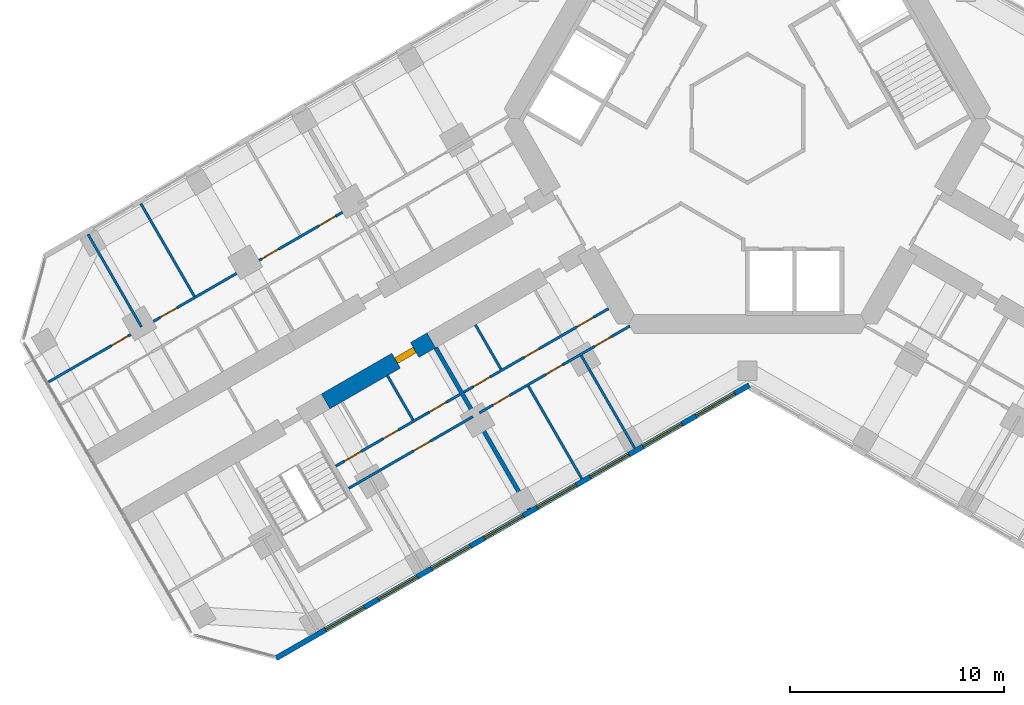
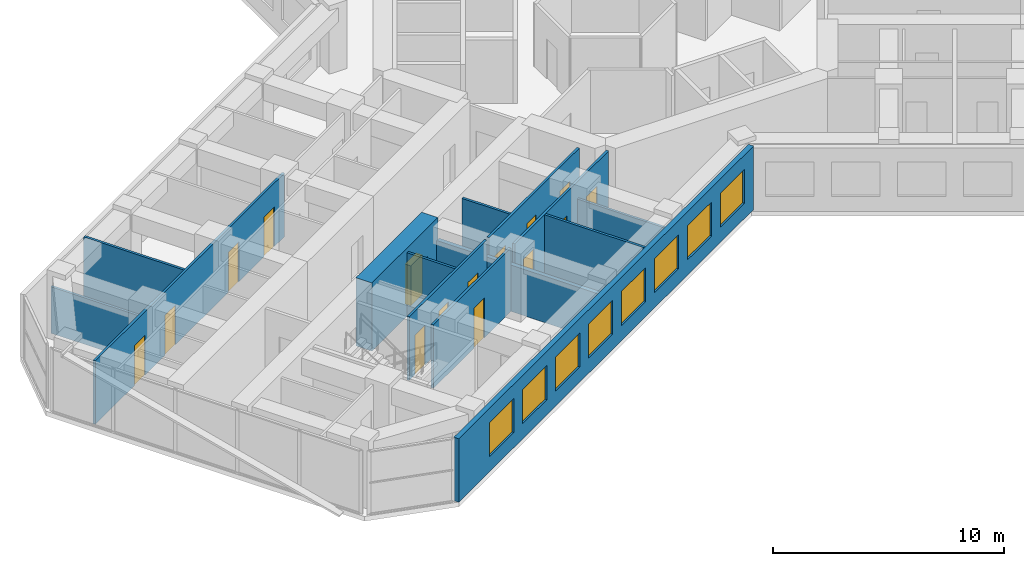
# One storey, part 11 of 19: 15 doors, 14 walls, 8 windows, 23 openings.
"""IFC4 building model written with IfcOpenShell, lengths in metres."""

from ifc_helpers import new_model, si_unit, direction, frame, frame_2d, origin, place, context, subcontext, project, spatial, rectangle, extrude, material, layer, layer_set, type_object, element, fill, save


model = new_model("IFC4")

# Units and contexts
model_context = context("Model", 3, precision=1e-05, world=origin(), true_north=direction((0.0, 1.0)))
body_context = subcontext(model_context, "Body", "Model", "MODEL_VIEW")
ifc_project = project(units=[si_unit("LENGTHUNIT", "METRE"), si_unit("AREAUNIT", "SQUARE_METRE"), si_unit("VOLUMEUNIT", "CUBIC_METRE"), si_unit("PLANEANGLEUNIT", "RADIAN"), si_unit("MASSUNIT", "GRAM", prefix="KILO")], contexts=[model_context])

# Site, building, storey
site_placement = place(None, origin())
site = spatial("IfcSite", under=ifc_project, at=site_placement, CompositionType="ELEMENT")
building_placement = place(site_placement, origin())
building = spatial("IfcBuilding", under=site, at=building_placement, Name="Kosmar Iwan School Tower", CompositionType="ELEMENT")
storey_placement = place(building_placement, frame((0.0, 0.0, 165.199951171875)))
storey = spatial("IfcBuildingStorey", under=building, at=storey_placement, Name="L41", CompositionType="ELEMENT", Elevation=165.199951171875)

# Wall, opening, door
ifc_material_1 = material(Name="Concrete C50/60", Category="concrete")
ifc_layer_1 = layer(ifc_material_1, 0.800048828125)
ifc_layer_set_1 = layer_set([ifc_layer_1], Name="Corridor buttress wall 800")
wall_type_1 = type_object("IfcWallType", Name="Corridor buttress wall 800", PredefinedType="SHEAR", material=ifc_layer_set_1)
wall_1_placement = place(storey_placement, frame((-14.7451171875, -10.360595703125, 0.0), z_axis=(0.0, 0.0, 1.0), x_axis=(-0.866015111908, -0.50001782563, 0.0)))
wall_1 = element("IfcWall", 1, at=wall_1_placement, inside=storey, type_object=wall_type_1, Name="Corridor wall BL bay 2", PredefinedType="SHEAR", context=body_context, shape_type="SweptSolid", body=[
    extrude(rectangle(XDim=5.699951171875, YDim=0.800048828125, at=frame_2d((2.85009765625, 0.0))), origin(), (0.0, 0.0, 1.0), 3.60009765625),
])
opening_1_placement = place(wall_1_placement, frame((0.89990234375, 0.0, 0.0)))
opening_1 = element("IfcOpeningElement", 2, at=opening_1_placement, cuts=wall_1, Name="Opening D1", PredefinedType="OPENING", context=body_context, shape_type="SweptSolid", body=[
    extrude(rectangle(XDim=1.0, YDim=2.10009765625, at=frame_2d((0.5, 1.050048828125))), frame((0.0, 0.412109375, 0.0), z_axis=(0.0, -1.0, 0.0), x_axis=(1.0, 0.0, 0.0)), (0.0, 0.0, 1.0), 0.823974609375),
])
ifc_material_2 = material(Name="Timber fire door in steel frame", Category="steel")
door_type_1 = type_object("IfcDoorType", Name="Flat entrance door 1000x2100", OperationType="SINGLE_SWING_LEFT", PredefinedType="DOOR", material=ifc_material_2)
door_1_placement = place(opening_1_placement, origin())
door_1 = element("IfcDoor", 3, at=door_1_placement, inside=storey, type_object=door_type_1, Name="Flat L41-BL2 entrance door", OperationType="SINGLE_SWING_RIGHT", OverallHeight=2.10009765625, OverallWidth=1.0, PredefinedType="DOOR", context=body_context, shape_type="SweptSolid", body=[
    extrude(rectangle(XDim=1.0, YDim=2.10009765625, at=frame_2d((0.5, 1.050048828125))), frame((0.0, 0.14990234375, 0.0), z_axis=(0.0, -1.0, 0.0), x_axis=(1.0, 0.0, 0.0)), (0.0, 0.0, 1.0), 0.300048828125),
])
fill(opening_1, door_1)

# Wall, openings, doors
ifc_material_3 = material(Name="Gypsum board on steel studs", Category="steel")
ifc_layer_2 = layer(ifc_material_3, 0.1201171875)
ifc_layer_set_2 = layer_set([ifc_layer_2], Name="Dwelling partition 120")
wall_type_2 = type_object("IfcWallType", Name="Dwelling partition 120", PredefinedType="PARTITIONING", material=ifc_layer_set_2)
wall_2_placement = place(storey_placement, frame((-6.478515625, -8.87890625, 0.0), z_axis=(0.0, 0.0, 1.0), x_axis=(-0.866034953203, -0.499983459557, 0.0)))
wall_2 = element("IfcWall", 4, at=wall_2_placement, inside=storey, type_object=wall_type_2, Name="Partition L41-BL1-W1", PredefinedType="PARTITIONING", context=body_context, shape_type="SweptSolid", body=[
    extrude(rectangle(XDim=7.800048828125, YDim=0.1201171875, at=frame_2d((3.89990234375, 0.0))), origin(), (0.0, 0.0, 1.0), 3.35009765625),
])
opening_2_placement = place(wall_2_placement, frame((0.800048828125, 0.0, 0.0)))
opening_2 = element("IfcOpeningElement", 5, at=opening_2_placement, cuts=wall_2, Name="Opening D2", PredefinedType="OPENING", context=body_context, shape_type="SweptSolid", body=[
    extrude(rectangle(XDim=0.89990234375, YDim=2.10009765625, at=frame_2d((0.449951171875, 1.050048828125))), frame((0.0, 0.072021484375, 0.0), z_axis=(0.0, -1.0, 0.0), x_axis=(1.0, 0.0, 0.0)), (0.0, 0.0, 1.0), 0.14404296875),
])
opening_3_placement = place(wall_2_placement, frame((3.755126953125, 0.0, 0.0)))
opening_3 = element("IfcOpeningElement", 6, at=opening_3_placement, cuts=wall_2, Name="Opening D3", PredefinedType="OPENING", context=body_context, shape_type="SweptSolid", body=[
    extrude(rectangle(XDim=0.800048828125, YDim=2.10009765625, at=frame_2d((0.39990234375, 1.050048828125))), frame((0.0, 0.072021484375, 0.0), z_axis=(0.0, -1.0, 0.0), x_axis=(1.0, 0.0, 0.0)), (0.0, 0.0, 1.0), 0.14404296875),
])
opening_4_placement = place(wall_2_placement, frame((6.380126953125, 0.0, 0.0)))
opening_4 = element("IfcOpeningElement", 7, at=opening_4_placement, cuts=wall_2, Name="Opening D2", PredefinedType="OPENING", context=body_context, shape_type="SweptSolid", body=[
    extrude(rectangle(XDim=0.89990234375, YDim=2.10009765625, at=frame_2d((0.449951171875, 1.050048828125))), frame((0.0, 0.072021484375, 0.0), z_axis=(0.0, -1.0, 0.0), x_axis=(1.0, 0.0, 0.0)), (0.0, 0.0, 1.0), 0.14404296875),
])
ifc_material_4 = material(Name="Timber door in timber frame", Category="wood")
door_type_2 = type_object("IfcDoorType", Name="Internal door 900x2100", OperationType="SINGLE_SWING_LEFT", PredefinedType="DOOR", material=ifc_material_4)
door_2_placement = place(opening_2_placement, origin())
door_2 = element("IfcDoor", 8, at=door_2_placement, inside=storey, type_object=door_type_2, Name="Entrance hall door L41-BL1-S1", OperationType="SINGLE_SWING_LEFT", OverallHeight=2.10009765625, OverallWidth=0.89990234375, PredefinedType="DOOR", context=body_context, shape_type="SweptSolid", body=[
    extrude(rectangle(XDim=0.89990234375, YDim=2.10009765625, at=frame_2d((0.449951171875, 1.050048828125))), frame((0.0, 0.02490234375, 0.0), z_axis=(0.0, -1.0, 0.0), x_axis=(1.0, 0.0, 0.0)), (0.0, 0.0, 1.0), 0.050048828125),
])
fill(opening_2, door_2)
door_3_placement = place(opening_4_placement, origin())
door_3 = element("IfcDoor", 9, at=door_3_placement, inside=storey, type_object=door_type_2, Name="Pantry door L41-BL1-S3", OperationType="SINGLE_SWING_RIGHT", OverallHeight=2.10009765625, OverallWidth=0.89990234375, PredefinedType="DOOR", context=body_context, shape_type="SweptSolid", body=[
    extrude(rectangle(XDim=0.89990234375, YDim=2.10009765625, at=frame_2d((0.449951171875, 1.050048828125))), frame((0.0, 0.02490234375, 0.0), z_axis=(0.0, -1.0, 0.0), x_axis=(1.0, 0.0, 0.0)), (0.0, 0.0, 1.0), 0.050048828125),
])
fill(opening_4, door_3)
ifc_material_5 = material(Name="Timber door in timber frame", Category="wood")
door_type_3 = type_object("IfcDoorType", Name="Sanitary room door 800x2100", OperationType="SINGLE_SWING_LEFT", PredefinedType="DOOR", material=ifc_material_5)
door_4_placement = place(opening_3_placement, origin())
door_4 = element("IfcDoor", 10, at=door_4_placement, inside=storey, type_object=door_type_3, Name="Bathroom door L41-BL1-S2", OperationType="SINGLE_SWING_RIGHT", OverallHeight=2.10009765625, OverallWidth=0.800048828125, PredefinedType="DOOR", context=body_context, shape_type="SweptSolid", body=[
    extrude(rectangle(XDim=0.800048828125, YDim=2.10009765625, at=frame_2d((0.39990234375, 1.050048828125))), frame((0.0, 0.02490234375, 0.0), z_axis=(0.0, -1.0, 0.0), x_axis=(1.0, 0.0, 0.0)), (0.0, 0.0, 1.0), 0.050048828125),
])
fill(opening_3, door_4)

wall_3_placement = place(storey_placement, frame((-5.48876953125, -9.693115234375, 0.0), z_axis=(0.0, 0.0, 1.0), x_axis=(-0.866025472755, -0.499999880539, 0.0)))
wall_3 = element("IfcWall", 11, at=wall_3_placement, inside=storey, type_object=wall_type_2, Name="Partition L41-BL1-W2", PredefinedType="PARTITIONING", context=body_context, shape_type="SweptSolid", body=[
    extrude(rectangle(XDim=8.10009765625, YDim=0.1201171875, at=frame_2d((4.050048828125, 0.0))), origin(), (0.0, 0.0, 1.0), 3.35009765625),
])
opening_5_placement = place(wall_3_placement, frame((1.0, 0.0, 0.0)))
opening_5 = element("IfcOpeningElement", 12, at=opening_5_placement, cuts=wall_3, Name="Opening D2", PredefinedType="OPENING", context=body_context, shape_type="SweptSolid", body=[
    extrude(rectangle(XDim=0.89990234375, YDim=2.10009765625, at=frame_2d((0.449951171875, 1.050048828125))), frame((0.0, 0.072021484375, 0.0), z_axis=(0.0, -1.0, 0.0), x_axis=(1.0, 0.0, 0.0)), (0.0, 0.0, 1.0), 0.14404296875),
])
opening_6_placement = place(wall_3_placement, frame((3.625, 0.0, 0.0)))
opening_6 = element("IfcOpeningElement", 13, at=opening_6_placement, cuts=wall_3, Name="Opening D2", PredefinedType="OPENING", context=body_context, shape_type="SweptSolid", body=[
    extrude(rectangle(XDim=0.89990234375, YDim=2.10009765625, at=frame_2d((0.449951171875, 1.050048828125))), frame((0.0, 0.072021484375, 0.0), z_axis=(0.0, -1.0, 0.0), x_axis=(1.0, 0.0, 0.0)), (0.0, 0.0, 1.0), 0.14404296875),
])
opening_7_placement = place(wall_3_placement, frame((6.47509765625, 0.0, 0.0)))
opening_7 = element("IfcOpeningElement", 14, at=opening_7_placement, cuts=wall_3, Name="Opening D2", PredefinedType="OPENING", context=body_context, shape_type="SweptSolid", body=[
    extrude(rectangle(XDim=0.89990234375, YDim=2.10009765625, at=frame_2d((0.449951171875, 1.050048828125))), frame((0.0, 0.072021484375, 0.0), z_axis=(0.0, -1.0, 0.0), x_axis=(1.0, 0.0, 0.0)), (0.0, 0.0, 1.0), 0.14404296875),
])
door_5_placement = place(opening_5_placement, origin())
door_5 = element("IfcDoor", 15, at=door_5_placement, inside=storey, type_object=door_type_2, Name="Family room and kitchen door L41-BL1-F1", OperationType="SINGLE_SWING_LEFT", OverallHeight=2.10009765625, OverallWidth=0.89990234375, PredefinedType="DOOR", context=body_context, shape_type="SweptSolid", body=[
    extrude(rectangle(XDim=0.89990234375, YDim=2.10009765625, at=frame_2d((0.449951171875, 1.050048828125))), frame((0.0, 0.02490234375, 0.0), z_axis=(0.0, -1.0, 0.0), x_axis=(1.0, 0.0, 0.0)), (0.0, 0.0, 1.0), 0.050048828125),
])
fill(opening_5, door_5)
door_6_placement = place(opening_6_placement, origin())
door_6 = element("IfcDoor", 16, at=door_6_placement, inside=storey, type_object=door_type_2, Name="Study door L41-BL1-F2", OperationType="SINGLE_SWING_LEFT", OverallHeight=2.10009765625, OverallWidth=0.89990234375, PredefinedType="DOOR", context=body_context, shape_type="SweptSolid", body=[
    extrude(rectangle(XDim=0.89990234375, YDim=2.10009765625, at=frame_2d((0.449951171875, 1.050048828125))), frame((0.0, 0.02490234375, 0.0), z_axis=(0.0, -1.0, 0.0), x_axis=(1.0, 0.0, 0.0)), (0.0, 0.0, 1.0), 0.050048828125),
])
fill(opening_6, door_6)
door_7_placement = place(opening_7_placement, origin())
door_7 = element("IfcDoor", 17, at=door_7_placement, inside=storey, type_object=door_type_2, Name="Bedroom 1 door L41-BL1-F3", OperationType="SINGLE_SWING_RIGHT", OverallHeight=2.10009765625, OverallWidth=0.89990234375, PredefinedType="DOOR", context=body_context, shape_type="SweptSolid", body=[
    extrude(rectangle(XDim=0.89990234375, YDim=2.10009765625, at=frame_2d((0.449951171875, 1.050048828125))), frame((0.0, 0.02490234375, 0.0), z_axis=(0.0, -1.0, 0.0), x_axis=(1.0, 0.0, 0.0)), (0.0, 0.0, 1.0), 0.050048828125),
])
fill(opening_7, door_7)

# Walls
wall_4_placement = place(storey_placement, frame((-7.75390625, -11.070068359375, 0.0), z_axis=(0.0, 0.0, 1.0), x_axis=(0.500011847778, -0.866018563358, 0.0)))
element("IfcWall", 18, at=wall_4_placement, inside=storey, type_object=wall_type_2, Name="Partition L41-BL1-X1", PredefinedType="PARTITIONING", context=body_context, shape_type="SweptSolid", body=[
    extrude(rectangle(XDim=4.990234375, YDim=0.1201171875, at=frame_2d((2.4951171875, 0.0))), origin(), (0.0, 0.0, 1.0), 2.449951171875),
])
wall_5_placement = place(storey_placement, frame((-10.221923828125, -12.4951171875, 0.0), z_axis=(0.0, 0.0, 1.0), x_axis=(0.499996339024, -0.86602751744, 0.0)))
element("IfcWall", 19, at=wall_5_placement, inside=storey, type_object=wall_type_2, Name="Partition L41-BL1-X2", PredefinedType="PARTITIONING", context=body_context, shape_type="SweptSolid", body=[
    extrude(rectangle(XDim=4.98974609375, YDim=0.1201171875, at=frame_2d((2.494873046875, 0.0))), origin(), (0.0, 0.0, 1.0), 3.35009765625),
])
wall_6_placement = place(storey_placement, frame((-12.69189453125, -9.636962890625, 0.0), z_axis=(0.0, 0.0, 1.0), x_axis=(0.500017192868, -0.86601547725, 0.0)))
element("IfcWall", 20, at=wall_6_placement, inside=storey, type_object=wall_type_2, Name="Partition L41-BL1-Y2", PredefinedType="PARTITIONING", context=body_context, shape_type="SweptSolid", body=[
    extrude(rectangle(XDim=2.39013671875, YDim=0.1201171875, at=frame_2d((1.195068359375, 0.0))), origin(), (0.0, 0.0, 1.0), 3.35009765625),
])

# Wall, openings, doors
wall_7_placement = place(storey_placement, frame((-13.40673828125, -12.87890625, 0.0), z_axis=(0.0, 0.0, 1.0), x_axis=(-0.866039349182, -0.499975845085, 0.0)))
wall_7 = element("IfcWall", 21, at=wall_7_placement, inside=storey, type_object=wall_type_2, Name="Partition L41-BL2-W1", PredefinedType="PARTITIONING", context=body_context, shape_type="SweptSolid", body=[
    extrude(rectangle(XDim=6.699951171875, YDim=0.1201171875, at=frame_2d((3.35009765625, 0.0))), origin(), (0.0, 0.0, 1.0), 3.35009765625),
])
opening_8_placement = place(wall_7_placement, frame((0.75, 0.0, 0.0)))
opening_8 = element("IfcOpeningElement", 22, at=opening_8_placement, cuts=wall_7, Name="Opening D2", PredefinedType="OPENING", context=body_context, shape_type="SweptSolid", body=[
    extrude(rectangle(XDim=0.89990234375, YDim=2.10009765625, at=frame_2d((0.449951171875, 1.050048828125))), frame((0.0, 0.072021484375, 0.0), z_axis=(0.0, -1.0, 0.0), x_axis=(1.0, 0.0, 0.0)), (0.0, 0.0, 1.0), 0.14404296875),
])
opening_9_placement = place(wall_7_placement, frame((3.330078125, 0.0, 0.0)))
opening_9 = element("IfcOpeningElement", 23, at=opening_9_placement, cuts=wall_7, Name="Opening D3", PredefinedType="OPENING", context=body_context, shape_type="SweptSolid", body=[
    extrude(rectangle(XDim=0.800048828125, YDim=2.10009765625, at=frame_2d((0.39990234375, 1.050048828125))), frame((0.0, 0.072021484375, 0.0), z_axis=(0.0, -1.0, 0.0), x_axis=(1.0, 0.0, 0.0)), (0.0, 0.0, 1.0), 0.14404296875),
])
opening_10_placement = place(wall_7_placement, frame((5.330078125, 0.0, 0.0)))
opening_10 = element("IfcOpeningElement", 24, at=opening_10_placement, cuts=wall_7, Name="Opening D2", PredefinedType="OPENING", context=body_context, shape_type="SweptSolid", body=[
    extrude(rectangle(XDim=0.89990234375, YDim=2.10009765625, at=frame_2d((0.449951171875, 1.050048828125))), frame((0.0, 0.072021484375, 0.0), z_axis=(0.0, -1.0, 0.0), x_axis=(1.0, 0.0, 0.0)), (0.0, 0.0, 1.0), 0.14404296875),
])
door_8_placement = place(opening_8_placement, origin())
door_8 = element("IfcDoor", 25, at=door_8_placement, inside=storey, type_object=door_type_2, Name="Entrance hall door L41-BL2-S1", OperationType="SINGLE_SWING_LEFT", OverallHeight=2.10009765625, OverallWidth=0.89990234375, PredefinedType="DOOR", context=body_context, shape_type="SweptSolid", body=[
    extrude(rectangle(XDim=0.89990234375, YDim=2.10009765625, at=frame_2d((0.449951171875, 1.050048828125))), frame((0.0, 0.02490234375, 0.0), z_axis=(0.0, -1.0, 0.0), x_axis=(1.0, 0.0, 0.0)), (0.0, 0.0, 1.0), 0.050048828125),
])
fill(opening_8, door_8)
door_9_placement = place(opening_10_placement, frame((0.89990234375, 0.0, 0.0), z_axis=(0.0, 0.0, 1.0), x_axis=(-1.0, 0.0, 0.0)))
door_9 = element("IfcDoor", 26, at=door_9_placement, inside=storey, type_object=door_type_2, Name="Pantry door L41-BL2-S3", OperationType="SINGLE_SWING_LEFT", OverallHeight=2.10009765625, OverallWidth=0.89990234375, PredefinedType="DOOR", context=body_context, shape_type="SweptSolid", body=[
    extrude(rectangle(XDim=0.89990234375, YDim=2.10009765625, at=frame_2d((0.449951171875, 1.050048828125))), frame((0.0, 0.02490234375, 0.0), z_axis=(0.0, -1.0, 0.0), x_axis=(1.0, 0.0, 0.0)), (0.0, 0.0, 1.0), 0.050048828125),
])
fill(opening_10, door_9)
door_10_placement = place(opening_9_placement, origin())
door_10 = element("IfcDoor", 27, at=door_10_placement, inside=storey, type_object=door_type_3, Name="Bathroom door L41-BL2-S2", OperationType="SINGLE_SWING_RIGHT", OverallHeight=2.10009765625, OverallWidth=0.800048828125, PredefinedType="DOOR", context=body_context, shape_type="SweptSolid", body=[
    extrude(rectangle(XDim=0.800048828125, YDim=2.10009765625, at=frame_2d((0.39990234375, 1.050048828125))), frame((0.0, 0.02490234375, 0.0), z_axis=(0.0, -1.0, 0.0), x_axis=(1.0, 0.0, 0.0)), (0.0, 0.0, 1.0), 0.050048828125),
])
fill(opening_9, door_10)

# Wall, opening, door
wall_8_placement = place(storey_placement, frame((-12.806640625, -13.91796875, 0.0), z_axis=(0.0, 0.0, 1.0), x_axis=(-0.866023571113, -0.500003174267, 0.0)))
wall_8 = element("IfcWall", 28, at=wall_8_placement, inside=storey, type_object=wall_type_2, Name="Partition L41-BL2-W2", PredefinedType="PARTITIONING", context=body_context, shape_type="SweptSolid", body=[
    extrude(rectangle(XDim=6.7001953125, YDim=0.1201171875, at=frame_2d((3.35009765625, 0.0))), origin(), (0.0, 0.0, 1.0), 3.35009765625),
])
opening_11_placement = place(wall_8_placement, frame((2.300048828125, 0.0, 0.0)))
opening_11 = element("IfcOpeningElement", 29, at=opening_11_placement, cuts=wall_8, Name="Opening D2", PredefinedType="OPENING", context=body_context, shape_type="SweptSolid", body=[
    extrude(rectangle(XDim=0.89990234375, YDim=2.10009765625, at=frame_2d((0.449951171875, 1.050048828125))), frame((0.0, 0.072021484375, 0.0), z_axis=(0.0, -1.0, 0.0), x_axis=(1.0, 0.0, 0.0)), (0.0, 0.0, 1.0), 0.14404296875),
])
door_11_placement = place(opening_11_placement, origin())
door_11 = element("IfcDoor", 30, at=door_11_placement, inside=storey, type_object=door_type_2, Name="Studio living room and kitchen door L41-BL2-F1", OperationType="SINGLE_SWING_RIGHT", OverallHeight=2.10009765625, OverallWidth=0.89990234375, PredefinedType="DOOR", context=body_context, shape_type="SweptSolid", body=[
    extrude(rectangle(XDim=0.89990234375, YDim=2.10009765625, at=frame_2d((0.449951171875, 1.050048828125))), frame((0.0, 0.02490234375, 0.0), z_axis=(0.0, -1.0, 0.0), x_axis=(1.0, 0.0, 0.0)), (0.0, 0.0, 1.0), 0.050048828125),
])
fill(opening_11, door_11)

# Wall
wall_9_placement = place(storey_placement, frame((-16.796875, -12.007080078125, 0.0), z_axis=(0.0, 0.0, 1.0), x_axis=(0.500017192868, -0.86601547725, 0.0)))
element("IfcWall", 31, at=wall_9_placement, inside=storey, type_object=wall_type_2, Name="Partition L41-BL2-Y1", PredefinedType="PARTITIONING", context=body_context, shape_type="SweptSolid", body=[
    extrude(rectangle(XDim=2.39013671875, YDim=0.1201171875, at=frame_2d((1.195068359375, 0.0))), origin(), (0.0, 0.0, 1.0), 3.35009765625),
])

# Wall, openings, doors
wall_10_placement = place(storey_placement, frame((-18.456787109375, -4.1318359375, 0.0), z_axis=(0.0, 0.0, 1.0), x_axis=(-0.866023907196, -0.500002592159, 0.0)))
wall_10 = element("IfcWall", 32, at=wall_10_placement, inside=storey, type_object=wall_type_2, Name="Partition L41-BR2-W2", PredefinedType="PARTITIONING", context=body_context, shape_type="SweptSolid", body=[
    extrude(rectangle(XDim=16.34521484375, YDim=0.1201171875, at=frame_2d((8.172607421875, 0.0))), origin(), (0.0, 0.0, 1.0), 3.35009765625),
])
opening_12_placement = place(wall_10_placement, frame((0.875, 0.0, 0.0)))
opening_12 = element("IfcOpeningElement", 33, at=opening_12_placement, cuts=wall_10, Name="Opening D2", PredefinedType="OPENING", context=body_context, shape_type="SweptSolid", body=[
    extrude(rectangle(XDim=0.89990234375, YDim=2.10009765625, at=frame_2d((0.449951171875, 1.050048828125))), frame((0.0, 0.072021484375, 0.0), z_axis=(0.0, -1.0, 0.0), x_axis=(1.0, 0.0, 0.0)), (0.0, 0.0, 1.0), 0.14404296875),
])
opening_13_placement = place(wall_10_placement, frame((3.949951171875, 0.0, 0.0)))
opening_13 = element("IfcOpeningElement", 34, at=opening_13_placement, cuts=wall_10, Name="Opening D2", PredefinedType="OPENING", context=body_context, shape_type="SweptSolid", body=[
    extrude(rectangle(XDim=0.89990234375, YDim=2.10009765625, at=frame_2d((0.449951171875, 1.050048828125))), frame((0.0, 0.072021484375, 0.0), z_axis=(0.0, -1.0, 0.0), x_axis=(1.0, 0.0, 0.0)), (0.0, 0.0, 1.0), 0.14404296875),
])
opening_14_placement = place(wall_10_placement, frame((9.425048828125, 0.0, 0.0)))
opening_14 = element("IfcOpeningElement", 35, at=opening_14_placement, cuts=wall_10, Name="Opening D2", PredefinedType="OPENING", context=body_context, shape_type="SweptSolid", body=[
    extrude(rectangle(XDim=0.89990234375, YDim=2.10009765625, at=frame_2d((0.449951171875, 1.050048828125))), frame((0.0, 0.072021484375, 0.0), z_axis=(0.0, -1.0, 0.0), x_axis=(1.0, 0.0, 0.0)), (0.0, 0.0, 1.0), 0.14404296875),
])
opening_15_placement = place(wall_10_placement, frame((12.050048828125, 0.0, 0.0)))
opening_15 = element("IfcOpeningElement", 36, at=opening_15_placement, cuts=wall_10, Name="Opening D2", PredefinedType="OPENING", context=body_context, shape_type="SweptSolid", body=[
    extrude(rectangle(XDim=0.89990234375, YDim=2.10009765625, at=frame_2d((0.449951171875, 1.050048828125))), frame((0.0, 0.072021484375, 0.0), z_axis=(0.0, -1.0, 0.0), x_axis=(1.0, 0.0, 0.0)), (0.0, 0.0, 1.0), 0.14404296875),
])
door_12_placement = place(opening_12_placement, origin())
door_12 = element("IfcDoor", 37, at=door_12_placement, inside=storey, type_object=door_type_2, Name="Kitchen and dining room door L41-BR2-F1", OperationType="SINGLE_SWING_LEFT", OverallHeight=2.10009765625, OverallWidth=0.89990234375, PredefinedType="DOOR", context=body_context, shape_type="SweptSolid", body=[
    extrude(rectangle(XDim=0.89990234375, YDim=2.10009765625, at=frame_2d((0.449951171875, 1.050048828125))), frame((0.0, 0.02490234375, 0.0), z_axis=(0.0, -1.0, 0.0), x_axis=(1.0, 0.0, 0.0)), (0.0, 0.0, 1.0), 0.050048828125),
])
fill(opening_12, door_12)
door_13_placement = place(opening_13_placement, origin())
door_13 = element("IfcDoor", 38, at=door_13_placement, inside=storey, type_object=door_type_2, Name="Living room door L41-BR2-F2", OperationType="SINGLE_SWING_LEFT", OverallHeight=2.10009765625, OverallWidth=0.89990234375, PredefinedType="DOOR", context=body_context, shape_type="SweptSolid", body=[
    extrude(rectangle(XDim=0.89990234375, YDim=2.10009765625, at=frame_2d((0.449951171875, 1.050048828125))), frame((0.0, 0.02490234375, 0.0), z_axis=(0.0, -1.0, 0.0), x_axis=(1.0, 0.0, 0.0)), (0.0, 0.0, 1.0), 0.050048828125),
])
fill(opening_13, door_13)
door_14_placement = place(opening_14_placement, origin())
door_14 = element("IfcDoor", 39, at=door_14_placement, inside=storey, type_object=door_type_2, Name="Bedroom 1 door L41-BR2-F3", OperationType="SINGLE_SWING_RIGHT", OverallHeight=2.10009765625, OverallWidth=0.89990234375, PredefinedType="DOOR", context=body_context, shape_type="SweptSolid", body=[
    extrude(rectangle(XDim=0.89990234375, YDim=2.10009765625, at=frame_2d((0.449951171875, 1.050048828125))), frame((0.0, 0.02490234375, 0.0), z_axis=(0.0, -1.0, 0.0), x_axis=(1.0, 0.0, 0.0)), (0.0, 0.0, 1.0), 0.050048828125),
])
fill(opening_14, door_14)
door_15_placement = place(opening_15_placement, origin())
door_15 = element("IfcDoor", 40, at=door_15_placement, inside=storey, type_object=door_type_2, Name="Bedroom 2 door L41-BR2-F4", OperationType="SINGLE_SWING_RIGHT", OverallHeight=2.10009765625, OverallWidth=0.89990234375, PredefinedType="DOOR", context=body_context, shape_type="SweptSolid", body=[
    extrude(rectangle(XDim=0.89990234375, YDim=2.10009765625, at=frame_2d((0.449951171875, 1.050048828125))), frame((0.0, 0.02490234375, 0.0), z_axis=(0.0, -1.0, 0.0), x_axis=(1.0, 0.0, 0.0)), (0.0, 0.0, 1.0), 0.050048828125),
])
fill(opening_15, door_15)

# Walls
wall_11_placement = place(storey_placement, frame((-25.8046875, -8.304931640625, 0.0), z_axis=(0.0, 0.0, 1.0), x_axis=(-0.499975153383, 0.86603974851, 0.0)))
element("IfcWall", 41, at=wall_11_placement, inside=storey, type_object=wall_type_2, Name="Partition L41-BR2-X2", PredefinedType="PARTITIONING", context=body_context, shape_type="SweptSolid", body=[
    extrude(rectangle(XDim=4.989990234375, YDim=0.1201171875, at=frame_2d((2.4951171875, 0.0))), origin(), (0.0, 0.0, 1.0), 3.35009765625),
])
wall_12_placement = place(storey_placement, frame((-28.27294921875, -9.72998046875, 0.0), z_axis=(0.0, 0.0, 1.0), x_axis=(-0.499975153383, 0.86603974851, 0.0)))
element("IfcWall", 42, at=wall_12_placement, inside=storey, type_object=wall_type_2, Name="Partition L41-BR2-X3", PredefinedType="PARTITIONING", context=body_context, shape_type="SweptSolid", body=[
    extrude(rectangle(XDim=4.989990234375, YDim=0.1201171875, at=frame_2d((2.4951171875, 0.0))), origin(), (0.0, 0.0, 1.0), 2.449951171875),
])

# Wall, openings, windows
ifc_material_6 = material(Name="Black aluminium rainscreen on insulated framing", Category="aluminium")
ifc_layer_3 = layer(ifc_material_6, 0.25)
ifc_layer_set_3 = layer_set([ifc_layer_3], Name="External wall rainscreen 250")
wall_type_3 = type_object("IfcWallType", Name="External wall rainscreen 250", PredefinedType="SOLIDWALL", material=ifc_layer_set_3)
wall_13_placement = place(storey_placement, frame((0.088134765625, -12.44873046875, 0.0), z_axis=(0.0, 0.0, 1.0), x_axis=(-0.866026390279, -0.499998291337, 0.0)))
wall_13 = element("IfcWall", 43, at=wall_13_placement, inside=storey, type_object=wall_type_3, Name="External wall BL L41", PredefinedType="SOLIDWALL", context=body_context, shape_type="SweptSolid", body=[
    extrude(rectangle(XDim=25.4873046875, YDim=0.25, at=frame_2d((12.74365234375, 0.0))), origin(), (0.0, 0.0, 1.0), 3.35009765625),
])
opening_16_placement = place(wall_13_placement, frame((0.777099609375, 0.0, 0.800048828125)))
opening_16 = element("IfcOpeningElement", 44, at=opening_16_placement, cuts=wall_13, Name="Opening W4", PredefinedType="OPENING", context=body_context, shape_type="SweptSolid", body=[
    extrude(rectangle(XDim=2.10009765625, YDim=1.800048828125, at=frame_2d((1.050048828125, 0.89990234375))), frame((0.0, 0.136962890625, 0.0), z_axis=(0.0, -1.0, 0.0), x_axis=(1.0, 0.0, 0.0)), (0.0, 0.0, 1.0), 0.27392578125),
])
opening_17_placement = place(wall_13_placement, frame((3.626953125, 0.0, 0.800048828125)))
opening_17 = element("IfcOpeningElement", 45, at=opening_17_placement, cuts=wall_13, Name="Opening W4", PredefinedType="OPENING", context=body_context, shape_type="SweptSolid", body=[
    extrude(rectangle(XDim=2.10009765625, YDim=1.800048828125, at=frame_2d((1.050048828125, 0.89990234375))), frame((0.0, 0.136962890625, 0.0), z_axis=(0.0, -1.0, 0.0), x_axis=(1.0, 0.0, 0.0)), (0.0, 0.0, 1.0), 0.27392578125),
])
opening_18_placement = place(wall_13_placement, frame((6.47705078125, 0.0, 0.800048828125)))
opening_18 = element("IfcOpeningElement", 46, at=opening_18_placement, cuts=wall_13, Name="Opening W4", PredefinedType="OPENING", context=body_context, shape_type="SweptSolid", body=[
    extrude(rectangle(XDim=2.10009765625, YDim=1.800048828125, at=frame_2d((1.050048828125, 0.89990234375))), frame((0.0, 0.136962890625, 0.0), z_axis=(0.0, -1.0, 0.0), x_axis=(1.0, 0.0, 0.0)), (0.0, 0.0, 1.0), 0.27392578125),
])
opening_19_placement = place(wall_13_placement, frame((9.326904296875, 0.0, 0.800048828125)))
opening_19 = element("IfcOpeningElement", 47, at=opening_19_placement, cuts=wall_13, Name="Opening W4", PredefinedType="OPENING", context=body_context, shape_type="SweptSolid", body=[
    extrude(rectangle(XDim=2.10009765625, YDim=1.800048828125, at=frame_2d((1.050048828125, 0.89990234375))), frame((0.0, 0.136962890625, 0.0), z_axis=(0.0, -1.0, 0.0), x_axis=(1.0, 0.0, 0.0)), (0.0, 0.0, 1.0), 0.27392578125),
])
opening_20_placement = place(wall_13_placement, frame((12.177001953125, 0.0, 0.800048828125)))
opening_20 = element("IfcOpeningElement", 48, at=opening_20_placement, cuts=wall_13, Name="Opening W4", PredefinedType="OPENING", context=body_context, shape_type="SweptSolid", body=[
    extrude(rectangle(XDim=2.10009765625, YDim=1.800048828125, at=frame_2d((1.050048828125, 0.89990234375))), frame((0.0, 0.136962890625, 0.0), z_axis=(0.0, -1.0, 0.0), x_axis=(1.0, 0.0, 0.0)), (0.0, 0.0, 1.0), 0.27392578125),
])
opening_21_placement = place(wall_13_placement, frame((15.027099609375, 0.0, 0.800048828125)))
opening_21 = element("IfcOpeningElement", 49, at=opening_21_placement, cuts=wall_13, Name="Opening W4", PredefinedType="OPENING", context=body_context, shape_type="SweptSolid", body=[
    extrude(rectangle(XDim=2.10009765625, YDim=1.800048828125, at=frame_2d((1.050048828125, 0.89990234375))), frame((0.0, 0.136962890625, 0.0), z_axis=(0.0, -1.0, 0.0), x_axis=(1.0, 0.0, 0.0)), (0.0, 0.0, 1.0), 0.27392578125),
])
opening_22_placement = place(wall_13_placement, frame((17.876953125, 0.0, 0.800048828125)))
opening_22 = element("IfcOpeningElement", 50, at=opening_22_placement, cuts=wall_13, Name="Opening W4", PredefinedType="OPENING", context=body_context, shape_type="SweptSolid", body=[
    extrude(rectangle(XDim=2.10009765625, YDim=1.800048828125, at=frame_2d((1.050048828125, 0.89990234375))), frame((0.0, 0.136962890625, 0.0), z_axis=(0.0, -1.0, 0.0), x_axis=(1.0, 0.0, 0.0)), (0.0, 0.0, 1.0), 0.27392578125),
])
opening_23_placement = place(wall_13_placement, frame((20.72705078125, 0.0, 0.800048828125)))
opening_23 = element("IfcOpeningElement", 51, at=opening_23_placement, cuts=wall_13, Name="Opening W4", PredefinedType="OPENING", context=body_context, shape_type="SweptSolid", body=[
    extrude(rectangle(XDim=2.10009765625, YDim=1.800048828125, at=frame_2d((1.050048828125, 0.89990234375))), frame((0.0, 0.136962890625, 0.0), z_axis=(0.0, -1.0, 0.0), x_axis=(1.0, 0.0, 0.0)), (0.0, 0.0, 1.0), 0.27392578125),
])
ifc_material_7 = material(Name="Black aluminium frame with dark triple glazing", Category="aluminium")
window_type = type_object("IfcWindowType", Name="Window 2100x1800", PartitioningType="SINGLE_PANEL", PredefinedType="WINDOW", material=ifc_material_7)
window_1_placement = place(opening_16_placement, origin())
window_1 = element("IfcWindow", 52, at=window_1_placement, inside=storey, type_object=window_type, Name="Window BL L41 -1", OverallHeight=1.800048828125, OverallWidth=2.10009765625, PartitioningType="SINGLE_PANEL", PredefinedType="WINDOW", context=body_context, shape_type="SweptSolid", body=[
    extrude(rectangle(XDim=2.10009765625, YDim=1.800048828125, at=frame_2d((1.050048828125, 0.89990234375))), frame((0.0, 0.030029296875, 0.0), z_axis=(0.0, -1.0, 0.0), x_axis=(1.0, 0.0, 0.0)), (0.0, 0.0, 1.0), 0.06005859375),
])
fill(opening_16, window_1)
window_2_placement = place(opening_17_placement, origin())
window_2 = element("IfcWindow", 53, at=window_2_placement, inside=storey, type_object=window_type, Name="Window BL L41 0", OverallHeight=1.800048828125, OverallWidth=2.10009765625, PartitioningType="SINGLE_PANEL", PredefinedType="WINDOW", context=body_context, shape_type="SweptSolid", body=[
    extrude(rectangle(XDim=2.10009765625, YDim=1.800048828125, at=frame_2d((1.050048828125, 0.89990234375))), frame((0.0, 0.030029296875, 0.0), z_axis=(0.0, -1.0, 0.0), x_axis=(1.0, 0.0, 0.0)), (0.0, 0.0, 1.0), 0.06005859375),
])
fill(opening_17, window_2)
window_3_placement = place(opening_18_placement, origin())
window_3 = element("IfcWindow", 54, at=window_3_placement, inside=storey, type_object=window_type, Name="Window BL L41 1", OverallHeight=1.800048828125, OverallWidth=2.10009765625, PartitioningType="SINGLE_PANEL", PredefinedType="WINDOW", context=body_context, shape_type="SweptSolid", body=[
    extrude(rectangle(XDim=2.10009765625, YDim=1.800048828125, at=frame_2d((1.050048828125, 0.89990234375))), frame((0.0, 0.030029296875, 0.0), z_axis=(0.0, -1.0, 0.0), x_axis=(1.0, 0.0, 0.0)), (0.0, 0.0, 1.0), 0.06005859375),
])
fill(opening_18, window_3)
window_4_placement = place(opening_19_placement, origin())
window_4 = element("IfcWindow", 55, at=window_4_placement, inside=storey, type_object=window_type, Name="Window BL L41 2", OverallHeight=1.800048828125, OverallWidth=2.10009765625, PartitioningType="SINGLE_PANEL", PredefinedType="WINDOW", context=body_context, shape_type="SweptSolid", body=[
    extrude(rectangle(XDim=2.10009765625, YDim=1.800048828125, at=frame_2d((1.050048828125, 0.89990234375))), frame((0.0, 0.030029296875, 0.0), z_axis=(0.0, -1.0, 0.0), x_axis=(1.0, 0.0, 0.0)), (0.0, 0.0, 1.0), 0.06005859375),
])
fill(opening_19, window_4)
window_5_placement = place(opening_20_placement, origin())
window_5 = element("IfcWindow", 56, at=window_5_placement, inside=storey, type_object=window_type, Name="Window BL L41 3", OverallHeight=1.800048828125, OverallWidth=2.10009765625, PartitioningType="SINGLE_PANEL", PredefinedType="WINDOW", context=body_context, shape_type="SweptSolid", body=[
    extrude(rectangle(XDim=2.10009765625, YDim=1.800048828125, at=frame_2d((1.050048828125, 0.89990234375))), frame((0.0, 0.030029296875, 0.0), z_axis=(0.0, -1.0, 0.0), x_axis=(1.0, 0.0, 0.0)), (0.0, 0.0, 1.0), 0.06005859375),
])
fill(opening_20, window_5)
window_6_placement = place(opening_21_placement, origin())
window_6 = element("IfcWindow", 57, at=window_6_placement, inside=storey, type_object=window_type, Name="Window BL L41 4", OverallHeight=1.800048828125, OverallWidth=2.10009765625, PartitioningType="SINGLE_PANEL", PredefinedType="WINDOW", context=body_context, shape_type="SweptSolid", body=[
    extrude(rectangle(XDim=2.10009765625, YDim=1.800048828125, at=frame_2d((1.050048828125, 0.89990234375))), frame((0.0, 0.030029296875, 0.0), z_axis=(0.0, -1.0, 0.0), x_axis=(1.0, 0.0, 0.0)), (0.0, 0.0, 1.0), 0.06005859375),
])
fill(opening_21, window_6)
window_7_placement = place(opening_22_placement, origin())
window_7 = element("IfcWindow", 58, at=window_7_placement, inside=storey, type_object=window_type, Name="Window BL L41 5", OverallHeight=1.800048828125, OverallWidth=2.10009765625, PartitioningType="SINGLE_PANEL", PredefinedType="WINDOW", context=body_context, shape_type="SweptSolid", body=[
    extrude(rectangle(XDim=2.10009765625, YDim=1.800048828125, at=frame_2d((1.050048828125, 0.89990234375))), frame((0.0, 0.030029296875, 0.0), z_axis=(0.0, -1.0, 0.0), x_axis=(1.0, 0.0, 0.0)), (0.0, 0.0, 1.0), 0.06005859375),
])
fill(opening_22, window_7)
window_8_placement = place(opening_23_placement, origin())
window_8 = element("IfcWindow", 59, at=window_8_placement, inside=storey, type_object=window_type, Name="Window BL L41 6", OverallHeight=1.800048828125, OverallWidth=2.10009765625, PartitioningType="SINGLE_PANEL", PredefinedType="WINDOW", context=body_context, shape_type="SweptSolid", body=[
    extrude(rectangle(XDim=2.10009765625, YDim=1.800048828125, at=frame_2d((1.050048828125, 0.89990234375))), frame((0.0, 0.030029296875, 0.0), z_axis=(0.0, -1.0, 0.0), x_axis=(1.0, 0.0, 0.0)), (0.0, 0.0, 1.0), 0.06005859375),
])
fill(opening_23, window_8)

# Wall
ifc_material_8 = material(Name="Concrete block masonry", Category="masonry")
ifc_layer_4 = layer(ifc_material_8, 0.199951171875)
ifc_layer_set_4 = layer_set([ifc_layer_4], Name="Party wall 200")
wall_type_4 = type_object("IfcWallType", Name="Party wall 200", PredefinedType="PARTITIONING", material=ifc_layer_set_4)
wall_14_placement = place(storey_placement, frame((-14.545166015625, -10.70703125, 0.0), z_axis=(0.0, 0.0, 1.0), x_axis=(0.500008278454, -0.866020624164, 0.0)))
element("IfcWall", 60, at=wall_14_placement, inside=storey, type_object=wall_type_4, Name="Partition L41-BL2-PW", PredefinedType="PARTITIONING", context=body_context, shape_type="SweptSolid", body=[
    extrude(rectangle(XDim=8.699951171875, YDim=0.199951171875, at=frame_2d((4.35009765625, 0.0))), origin(), (0.0, 0.0, 1.0), 2.449951171875),
])

save(model, "model.ifc")
